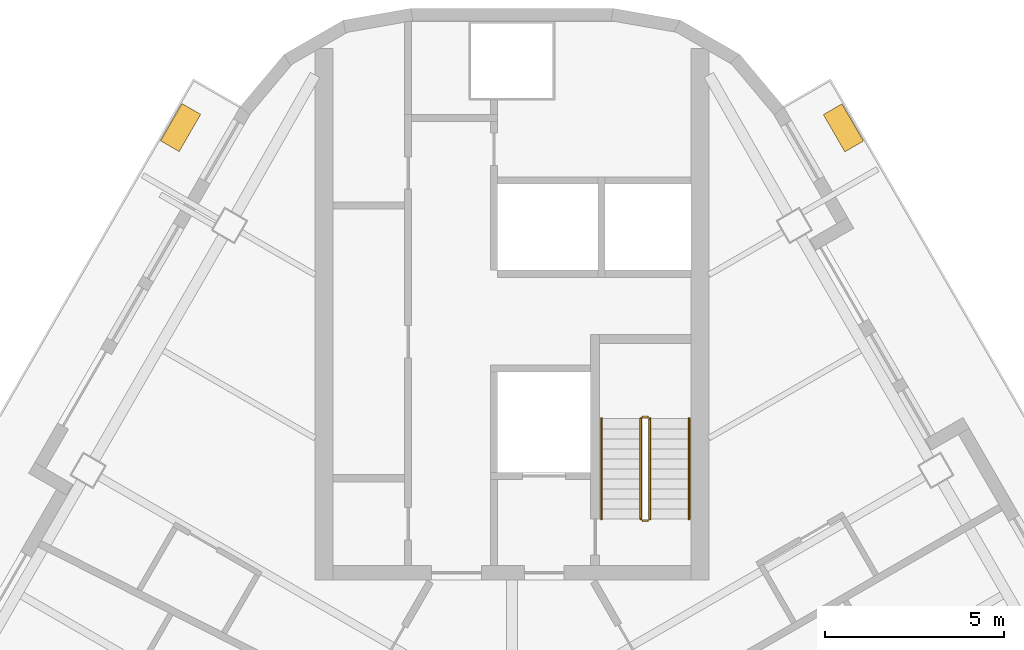
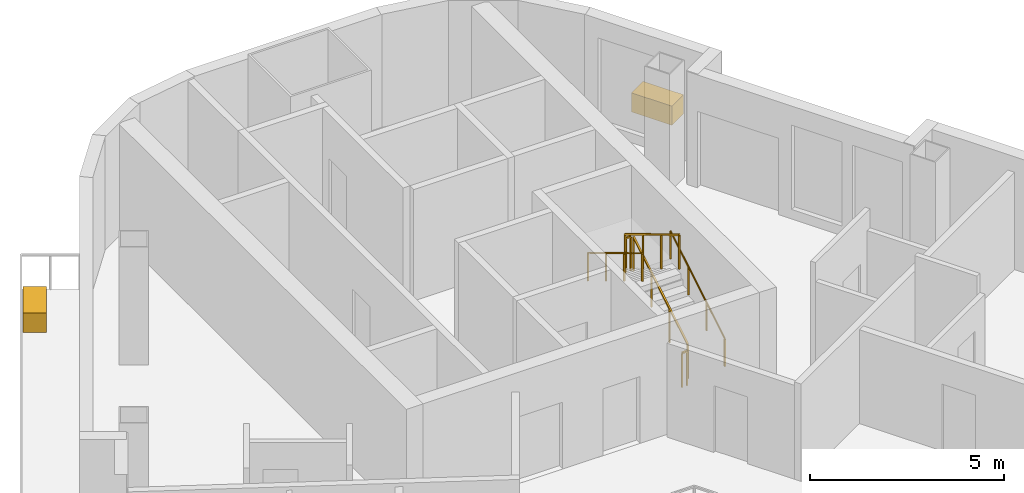
# One storey, part 13 of 13: 6 railings, 2 coverings.
"""IFC4 building model written with IfcOpenShell, lengths in metres."""

import ifcopenshell
import ifcopenshell.guid

model = None  # the IFC model being written
_history = None  # IfcOwnerHistory: only IFC2X3 demands one
_inside = {}  # id of a spatial element -> (the spatial element, [elements in it])
_under = {}  # id of a project, library or spatial element -> (it, [spatial elements below it])
_declared = {}  # id of a project -> (the project, [libraries it declares])
_typed = {}  # id of a type object -> (the type object, [elements of that type])
_made_of = {}  # id of a material, layer set ... -> (it, [elements and type objects made of it])


def new_model(schema):
    """Start an empty IFC model of exactly this schema.

    Asked for "IFC4X3", IfcOpenShell would pick the latest addendum, in which some entities
    have other attributes; the version numbers below select the first issue.
    IFC2X3 requires an IfcOwnerHistory on every rooted entity: one is made here for all.
    """
    global model, _history
    if schema == "IFC4X3":
        model = ifcopenshell.file(schema_version=(4, 3, 0, 0))
    else:
        model = ifcopenshell.file(schema=schema)
    _inside.clear()
    _under.clear()
    _declared.clear()
    _typed.clear()
    _made_of.clear()
    _history = None
    if model.schema == "IFC2X3":
        org = make("IfcOrganization", Name="unknown")
        user = make(
            "IfcPersonAndOrganization",
            ThePerson=make("IfcPerson", FamilyName="unknown"),
            TheOrganization=org,
        )
        app = make(
            "IfcApplication",
            ApplicationDeveloper=org,
            Version="unknown",
            ApplicationFullName="unknown",
            ApplicationIdentifier="unknown",
        )
        _history = make(
            "IfcOwnerHistory",
            OwningUser=user,
            OwningApplication=app,
            ChangeAction="ADDED",
            CreationDate=0,
        )
    return model


def make(cls, **values):
    """One entity of the class cls with the attributes given. An attribute that is None is left unset."""
    return model.create_entity(
        cls, **{name: value for name, value in values.items() if value is not None}
    )


def rooted(cls, **values):
    """An entity with a GlobalId (a new one), such as an element, a storey or a relation."""
    return make(cls, GlobalId=ifcopenshell.guid.new(), OwnerHistory=_history, **values)


def si_unit(unit_type, name, prefix=None):
    """IfcSIUnit, for example si_unit("LENGTHUNIT", "METRE", prefix="MILLI")."""
    return make("IfcSIUnit", UnitType=unit_type, Prefix=prefix, Name=name)


def assignment(units):
    """IfcUnitAssignment: the units of a project."""
    return None if units is None else make("IfcUnitAssignment", Units=units)


def point(xyz):
    """IfcCartesianPoint."""
    return None if xyz is None else make("IfcCartesianPoint", Coordinates=xyz)


def direction(xyz):
    """IfcDirection."""
    return None if xyz is None else make("IfcDirection", DirectionRatios=xyz)


def frame(location, z_axis=None, x_axis=None):
    """IfcAxis2Placement3D, a coordinate frame: its origin and axes. An axis left out is left unset."""
    return make(
        "IfcAxis2Placement3D",
        Location=point(location),
        Axis=direction(z_axis),
        RefDirection=direction(x_axis),
    )


def frame_2d(location, x_axis=None):
    """IfcAxis2Placement2D, a coordinate frame in the plane: its origin and x axis."""
    return make(
        "IfcAxis2Placement2D", Location=point(location), RefDirection=direction(x_axis)
    )


def origin():
    """The frame at (0, 0, 0) with its axes left unset."""
    return frame((0.0, 0.0, 0.0))


def origin_2d():
    """The frame at (0, 0) in the plane with its x axis left unset."""
    return frame_2d((0.0, 0.0))


def place(relative_to, where):
    """IfcLocalPlacement: puts the frame where relative to a parent placement (None: the world)."""
    return make(
        "IfcLocalPlacement", PlacementRelTo=relative_to, RelativePlacement=where
    )


def context(
    kind, dimensions, precision=None, world=None, true_north=None, identifier=None
):
    """IfcGeometricRepresentationContext, for example the 3D "Model" context."""
    return make(
        "IfcGeometricRepresentationContext",
        ContextIdentifier=identifier,
        ContextType=kind,
        CoordinateSpaceDimension=dimensions,
        Precision=precision,
        WorldCoordinateSystem=world,
        TrueNorth=true_north,
    )


def subcontext(parent, identifier, kind, view, scale=None):
    """IfcGeometricRepresentationSubContext, for example "Body" below "Model"."""
    return make(
        "IfcGeometricRepresentationSubContext",
        ContextIdentifier=identifier,
        ContextType=kind,
        ParentContext=parent,
        TargetScale=scale,
        TargetView=view,
    )


def project(units=None, contexts=None):
    """IfcProject with its units and contexts."""
    return rooted(
        "IfcProject",
        Name="project",
        RepresentationContexts=contexts,
        UnitsInContext=assignment(units),
    )


def spatial(cls, under=None, at=None, **own):
    """A site, building, storey or space (cls), placed at a placement, below another one or the project."""
    s = rooted(cls, ObjectPlacement=at, **own)
    if under is not None:
        _under.setdefault(under.id(), (under, []))[1].append(s)
    return s


def profile(cls, at=None, kind="AREA", **sizes):
    """A parametric profile (cls). Its sizes go by their IFC names, for example OverallWidth=200.0."""
    return make(cls, ProfileType=kind, Position=at, **sizes)


def rectangle(**sizes):
    """IfcRectangleProfileDef."""
    return profile("IfcRectangleProfileDef", **sizes)


def circle(**sizes):
    """IfcCircleProfileDef."""
    return profile("IfcCircleProfileDef", **sizes)


def extrude(swept, where, along, depth):
    """IfcExtrudedAreaSolid: the profile swept, set in the frame where, extruded along a direction by depth."""
    return make(
        "IfcExtrudedAreaSolid",
        SweptArea=swept,
        Position=where,
        ExtrudedDirection=direction(along),
        Depth=depth,
    )


def shape(context_of_items, identifier, shape_type, items):
    """IfcShapeRepresentation: the items that make up one representation, for example the "Body"."""
    return make(
        "IfcShapeRepresentation",
        ContextOfItems=context_of_items,
        RepresentationIdentifier=identifier,
        RepresentationType=shape_type,
        Items=items,
    )


def material(Name=None, Category=None):
    """IfcMaterial."""
    return make("IfcMaterial", Name=Name, Category=Category)


def made_of(thing, what):
    """Note that an element or type object is made of a material, layer set ...; save() writes the relation."""
    if what is not None:
        _made_of.setdefault(what.id(), (what, []))[1].append(thing)
    return thing


def type_object(cls, material=None, **own):
    """A type object (cls), such as IfcWallType, which elements share."""
    return made_of(rooted(cls, **own), material)


def element(
    cls,
    number,
    at=None,
    inside=None,
    cuts=None,
    type_object=None,
    material=None,
    context=None,
    identifier="Body",
    shape_type=None,
    held_by="IfcProductDefinitionShape",
    body=None,
    shapes=None,
    **own,
):
    """One element of the class cls, such as IfcWall. Its Tag is "e" and its number.

    at: its placement. inside: the storey or other place that contains it. cuts: it is an
    opening in that element (IfcRelVoidsElement). A single representation is given by context,
    identifier, shape_type and body (its items); several are given by shapes. held_by: the class
    of the entity that holds the representations. save() writes the other relations.
    """
    e = rooted(cls, Tag="e%d" % number, ObjectPlacement=at, **own)
    if body is not None:
        shapes = [shape(context, identifier, shape_type, body)]
    if shapes is not None:
        e.Representation = make(held_by, Representations=shapes)
    if inside is not None:
        _inside.setdefault(inside.id(), (inside, []))[1].append(e)
    if cuts is not None:
        rooted(
            "IfcRelVoidsElement", RelatingBuildingElement=cuts, RelatedOpeningElement=e
        )
    if type_object is not None:
        _typed.setdefault(type_object.id(), (type_object, []))[1].append(e)
    return made_of(e, material)


def aggregate(whole, parts):
    """IfcRelAggregates: a whole, such as a stair, and the parts it consists of."""
    return rooted("IfcRelAggregates", RelatingObject=whole, RelatedObjects=parts)


def save(model, path):
    """Write the relations noted so far, then the file.

    IfcRelAggregates (storeys below a building ...), IfcRelContainedInSpatialStructure (elements
    in a storey), IfcRelDefinesByType, IfcRelAssociatesMaterial and IfcRelDeclares: one each for
    every whole, place, type object, material and project.
    """
    for whole, parts in _under.values():
        aggregate(whole, parts)
    for where, things in _inside.values():
        rooted(
            "IfcRelContainedInSpatialStructure",
            RelatedElements=things,
            RelatingStructure=where,
        )
    for kind, things in _typed.values():
        rooted("IfcRelDefinesByType", RelatedObjects=things, RelatingType=kind)
    for what, things in _made_of.values():
        rooted("IfcRelAssociatesMaterial", RelatedObjects=things, RelatingMaterial=what)
    for by, libraries in _declared.values():
        rooted("IfcRelDeclares", RelatingContext=by, RelatedDefinitions=libraries)
    model.write(path)


model = new_model("IFC4")

# Units and contexts
model_context = context("Model", 3, precision=1e-05, world=origin(), true_north=direction((0.0, 1.0)))
body_context = subcontext(model_context, "Body", "Model", "MODEL_VIEW")
ifc_project = project(units=[si_unit("LENGTHUNIT", "METRE"), si_unit("AREAUNIT", "SQUARE_METRE"), si_unit("VOLUMEUNIT", "CUBIC_METRE"), si_unit("PLANEANGLEUNIT", "RADIAN"), si_unit("MASSUNIT", "GRAM", prefix="KILO")], contexts=[model_context])

# Site, building, storey
site_placement = place(None, origin())
site = spatial("IfcSite", under=ifc_project, at=site_placement, CompositionType="ELEMENT")
building_placement = place(site_placement, origin())
building = spatial("IfcBuilding", under=site, at=building_placement, Name="Apuvela Tower Hotel", CompositionType="ELEMENT")
storey_placement = place(building_placement, frame((0.0, 0.0, 198.39990234375)))
storey = spatial("IfcBuildingStorey", under=building, at=storey_placement, Name="L48", CompositionType="ELEMENT", Elevation=198.39990234375)

# Railings
ifc_material_1 = material(Name="Steel S275 balustrade", Category="steel")
railing_type_1 = type_object("IfcRailingType", Name="COR-GUARD-1100", PredefinedType="GUARDRAIL", material=ifc_material_1)
railing_1_placement = place(storey_placement, frame((3.85009765625, 14.60009765625, 0.168212890625)))
element("IfcRailing", 1, at=railing_1_placement, inside=storey, type_object=railing_type_1, Name="L48 ST1 stair guard 1", PredefinedType="GUARDRAIL", context=body_context, shape_type="SweptSolid", body=[
    extrude(rectangle(XDim=0.048095703125, YDim=0.048095703125, at=origin_2d()), frame((0.0, 0.0, 1.076171875), z_axis=(0.0, 0.857222391501, 0.514946377315), x_axis=(-1.0, 0.0, 0.0)), (0.0, 0.0, 1.0), 3.26611328125),
    extrude(rectangle(XDim=0.0419921875, YDim=0.0419921875, at=origin_2d()), origin(), (0.0, 0.0, 1.0), 1.052001953125),
    extrude(rectangle(XDim=0.0419921875, YDim=0.0419921875, at=origin_2d()), frame((0.0, 0.933349609375, 0.560546875)), (0.0, 0.0, 1.0), 1.052001953125),
    extrude(rectangle(XDim=0.0419921875, YDim=0.0419921875, at=origin_2d()), frame((0.0, 1.866455078125, 1.121337890625)), (0.0, 0.0, 1.0), 1.052001953125),
    extrude(rectangle(XDim=0.0419921875, YDim=0.0419921875, at=origin_2d()), frame((0.0, 2.7998046875, 1.681884765625)), (0.0, 0.0, 1.0), 1.052001953125),
])
railing_2_placement = place(storey_placement, frame((3.800048828125, 17.449951171875, 1.85009765625)))
element("IfcRailing", 2, at=railing_2_placement, inside=storey, type_object=railing_type_1, Name="L48 ST1 stair guard 2", PredefinedType="GUARDRAIL", context=body_context, shape_type="SweptSolid", body=[
    extrude(rectangle(XDim=0.048095703125, YDim=0.048095703125, at=origin_2d()), frame((0.0, 0.0, 1.076171875), z_axis=(-1.0, 0.0, 0.0), x_axis=(0.0, -1.0, 0.0)), (0.0, 0.0, 1.0), 0.150146484375),
    extrude(rectangle(XDim=0.0419921875, YDim=0.0419921875, at=origin_2d()), origin(), (0.0, 0.0, 1.0), 1.052001953125),
    extrude(rectangle(XDim=0.0419921875, YDim=0.0419921875, at=origin_2d()), frame((-0.150146484375, 0.0, 0.0)), (0.0, 0.0, 1.0), 1.052001953125),
])
railing_3_placement = place(storey_placement, frame((3.60009765625, 17.39990234375, 2.018310546875)))
element("IfcRailing", 3, at=railing_3_placement, inside=storey, type_object=railing_type_1, Name="L48 ST1 stair guard 3", PredefinedType="GUARDRAIL", context=body_context, shape_type="SweptSolid", body=[
    extrude(rectangle(XDim=0.048095703125, YDim=0.048095703125, at=origin_2d()), frame((0.0, 0.0, 1.076171875), z_axis=(0.0, -0.857222391501, 0.514946377315), x_axis=(1.0, 0.0, 0.0)), (0.0, 0.0, 1.0), 3.26611328125),
    extrude(rectangle(XDim=0.0419921875, YDim=0.0419921875, at=origin_2d()), origin(), (0.0, 0.0, 1.0), 1.052001953125),
    extrude(rectangle(XDim=0.0419921875, YDim=0.0419921875, at=origin_2d()), frame((0.0, -0.933349609375, 0.560546875)), (0.0, 0.0, 1.0), 1.052001953125),
    extrude(rectangle(XDim=0.0419921875, YDim=0.0419921875, at=origin_2d()), frame((0.0, -1.866455078125, 1.121337890625)), (0.0, 0.0, 1.0), 1.052001953125),
    extrude(rectangle(XDim=0.0419921875, YDim=0.0419921875, at=origin_2d()), frame((0.0, -2.7998046875, 1.681884765625)), (0.0, 0.0, 1.0), 1.052001953125),
])
railing_4_placement = place(storey_placement, frame((3.800048828125, 14.550048828125, 0.0)))
element("IfcRailing", 4, at=railing_4_placement, inside=storey, type_object=railing_type_1, Name="L48 ST1 stair guard 4", PredefinedType="GUARDRAIL", context=body_context, shape_type="SweptSolid", body=[
    extrude(rectangle(XDim=0.048095703125, YDim=0.048095703125, at=origin_2d()), frame((0.0, 0.0, 1.076171875), z_axis=(-1.0, 0.0, 0.0), x_axis=(0.0, -1.0, 0.0)), (0.0, 0.0, 1.0), 0.150146484375),
    extrude(rectangle(XDim=0.0419921875, YDim=0.0419921875, at=origin_2d()), origin(), (0.0, 0.0, 1.0), 1.052001953125),
    extrude(rectangle(XDim=0.0419921875, YDim=0.0419921875, at=origin_2d()), frame((-0.150146484375, 0.0, 0.0)), (0.0, 0.0, 1.0), 1.052001953125),
])
ifc_material_2 = material(Name="Stainless steel 316 handrail", Category="steel")
railing_type_2 = type_object("IfcRailingType", Name="COR-HANDRAIL-900", PredefinedType="HANDRAIL", material=ifc_material_2)
railing_5_placement = place(storey_placement, frame((4.949951171875, 14.60009765625, 0.168212890625)))
element("IfcRailing", 5, at=railing_5_placement, inside=storey, type_object=railing_type_2, Name="L48 ST1 stair handrail 1", PredefinedType="HANDRAIL", context=body_context, shape_type="SweptSolid", body=[
    extrude(circle(Radius=0.02392578125, at=origin_2d()), frame((0.0, 0.0, 0.8759765625), z_axis=(0.0, 0.857222391501, 0.514946377315), x_axis=(-1.0, 0.0, 0.0)), (0.0, 0.0, 1.0), 3.26611328125),
    extrude(rectangle(XDim=0.0419921875, YDim=0.0419921875, at=origin_2d()), origin(), (0.0, 0.0, 1.0), 0.851806640625),
    extrude(rectangle(XDim=0.0419921875, YDim=0.0419921875, at=origin_2d()), frame((0.0, 0.933349609375, 0.560546875)), (0.0, 0.0, 1.0), 0.851806640625),
    extrude(rectangle(XDim=0.0419921875, YDim=0.0419921875, at=origin_2d()), frame((0.0, 1.866455078125, 1.121337890625)), (0.0, 0.0, 1.0), 0.851806640625),
    extrude(rectangle(XDim=0.0419921875, YDim=0.0419921875, at=origin_2d()), frame((0.0, 2.7998046875, 1.681884765625)), (0.0, 0.0, 1.0), 0.851806640625),
])
railing_6_placement = place(storey_placement, frame((2.5, 17.39990234375, 2.018310546875)))
element("IfcRailing", 6, at=railing_6_placement, inside=storey, type_object=railing_type_2, Name="L48 ST1 stair handrail 2", PredefinedType="HANDRAIL", context=body_context, shape_type="SweptSolid", body=[
    extrude(circle(Radius=0.02392578125, at=origin_2d()), frame((0.0, 0.0, 0.8759765625), z_axis=(0.0, -0.857222391501, 0.514946377315), x_axis=(1.0, 0.0, 0.0)), (0.0, 0.0, 1.0), 3.26611328125),
    extrude(rectangle(XDim=0.0419921875, YDim=0.0419921875, at=origin_2d()), origin(), (0.0, 0.0, 1.0), 0.851806640625),
    extrude(rectangle(XDim=0.0419921875, YDim=0.0419921875, at=origin_2d()), frame((0.0, -0.933349609375, 0.560546875)), (0.0, 0.0, 1.0), 0.851806640625),
    extrude(rectangle(XDim=0.0419921875, YDim=0.0419921875, at=origin_2d()), frame((0.0, -1.866455078125, 1.121337890625)), (0.0, 0.0, 1.0), 0.851806640625),
    extrude(rectangle(XDim=0.0419921875, YDim=0.0419921875, at=origin_2d()), frame((0.0, -2.7998046875, 1.681884765625)), (0.0, 0.0, 1.0), 0.851806640625),
])

# Coverings
ifc_material_3 = material(Name="Planting substrate and soil, planted")
covering_type = type_object("IfcCoveringType", Name="ENV-PLANTER-1200x600", PredefinedType="USERDEFINED", material=ifc_material_3)
for number, where, z_axis, x_axis, name in (
    (7, (9.2578125, 25.52490234375, 0.0), (0.0, 0.0, 1.0), (-0.5, 0.866025403784, 0.0), "Planter NE3"),
    (8, (-9.253662109375, 25.5322265625, 0.0), (0.0, 0.0, 1.0), (-0.5, -0.866025403784, 0.0), "Planter NW4"),
):
    element("IfcCovering", number, at=place(storey_placement, frame(where, z_axis=z_axis, x_axis=x_axis)), inside=storey, type_object=covering_type, Name=name, ObjectType="PLANTER", PredefinedType="USERDEFINED", context=body_context, shape_type="SweptSolid", body=[
        extrude(rectangle(XDim=1.199951171875, YDim=0.60009765625, at=origin_2d()), origin(), (0.0, 0.0, 1.0), 0.60009765625),
    ])

save(model, "model.ifc")
